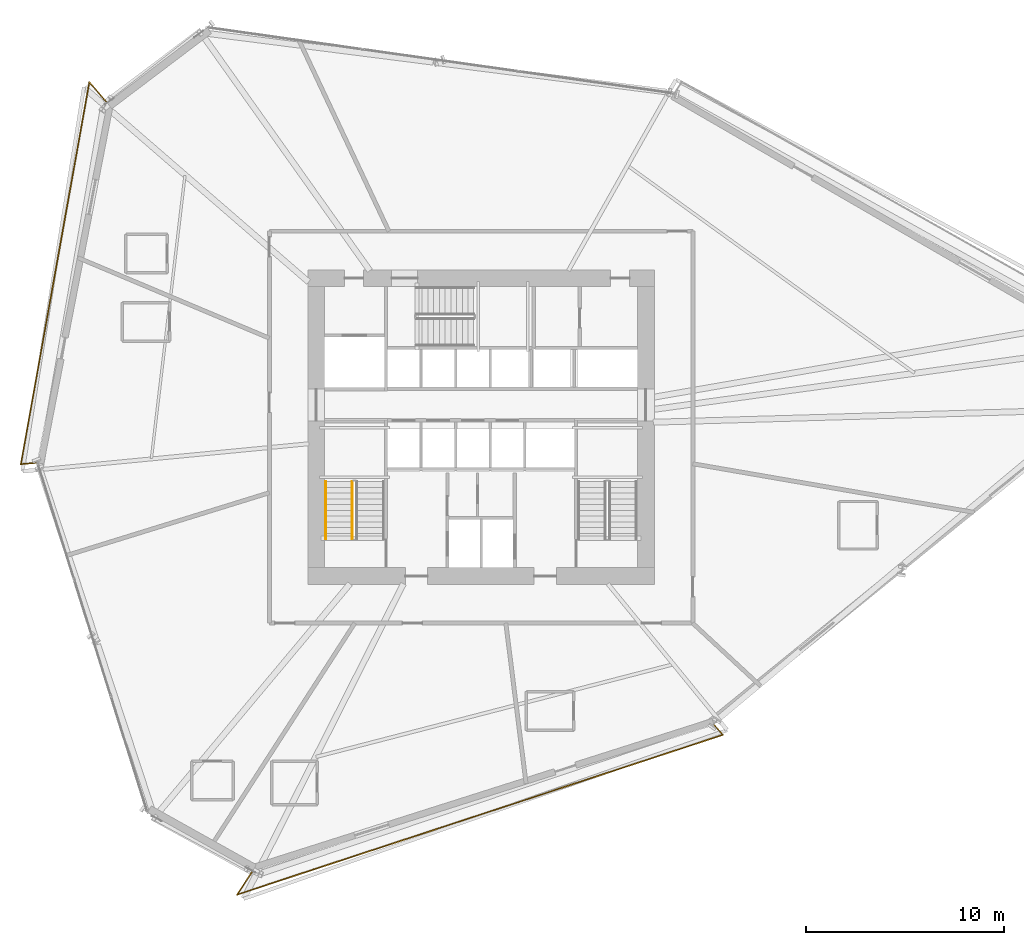
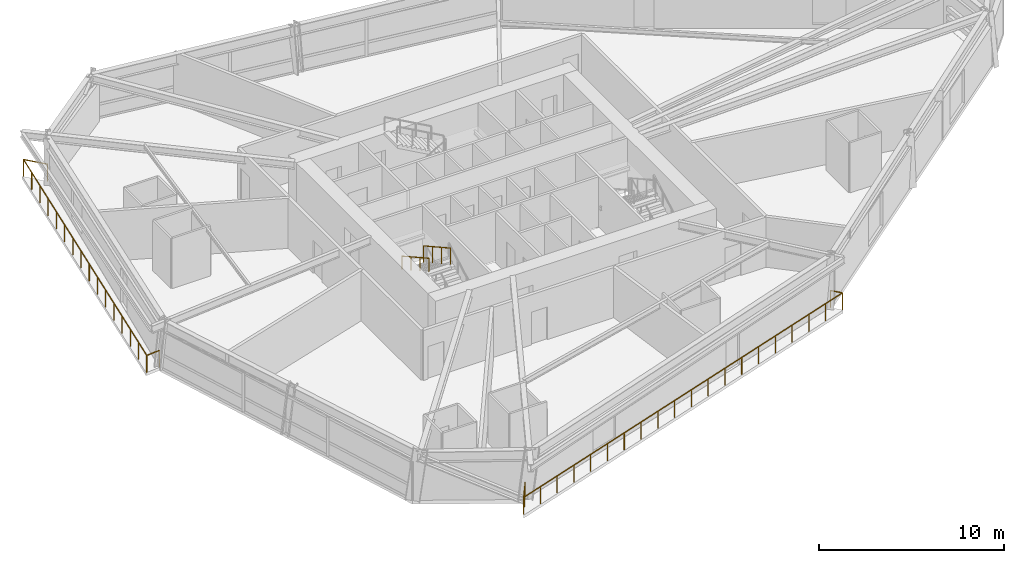
# One storey, part 19 of 21: 4 railings.
"""IFC4 building model written with IfcOpenShell, lengths in metres."""

from ifc_helpers import new_model, si_unit, direction, frame, origin, origin_2d, place, context, subcontext, project, spatial, rectangle, extrude, material, type_object, element, save


model = new_model("IFC4")

# Units and contexts
model_context = context("Model", 3, precision=1e-05, world=origin(), true_north=direction((0.0, 1.0)))
body_context = subcontext(model_context, "Body", "Model", "MODEL_VIEW")
ifc_project = project(units=[si_unit("LENGTHUNIT", "METRE"), si_unit("AREAUNIT", "SQUARE_METRE"), si_unit("VOLUMEUNIT", "CUBIC_METRE"), si_unit("PLANEANGLEUNIT", "RADIAN"), si_unit("MASSUNIT", "GRAM", prefix="KILO")], contexts=[model_context])

# Site, building, storey
site_placement = place(None, origin())
site = spatial("IfcSite", under=ifc_project, at=site_placement, CompositionType="ELEMENT")
building_placement = place(site_placement, origin())
building = spatial("IfcBuilding", under=site, at=building_placement, Name="Olszyna Solenne Hotel", CompositionType="ELEMENT")
storey_placement = place(building_placement, frame((0.0, 0.0, 54.14990234375)))
storey = spatial("IfcBuildingStorey", under=building, at=storey_placement, Name="L13", CompositionType="ELEMENT", Elevation=54.14990234375)

# Railings
ifc_material_1 = material(Name="Anodised bronze aluminium", Category="aluminium")
railing_type_1 = type_object("IfcRailingType", Name="GR-110", PredefinedType="BALUSTRADE", material=ifc_material_1)
railing_1_placement = place(storey_placement, frame((19.11376953125, 42.98828125, 0.0)))
element("IfcRailing", 1, at=railing_1_placement, inside=storey, type_object=railing_type_1, Name="Loggia balcony balustrade guard GR-L13-LG2", PredefinedType="BALUSTRADE", context=body_context, shape_type="SweptSolid", body=[
    extrude(rectangle(XDim=0.048095703125, YDim=0.048095703125, at=origin_2d()), frame((0.0, 0.0, 1.1259765625), z_axis=(-0.656936595819, 0.753945826352, 0.0), x_axis=(-0.753945826352, -0.656936595819, 0.0)), (0.0, 0.0, 1.0), 1.379150390625),
    extrude(rectangle(XDim=0.048095703125, YDim=0.048095703125, at=origin_2d()), frame((-0.906005859375, 1.039794921875, 1.1259765625), z_axis=(-0.176400491446, -0.984318478247, 0.0), x_axis=(0.984318478247, -0.176400491446, 0.0)), (0.0, 0.0, 1.0), 19.6044921875),
    extrude(rectangle(XDim=0.048095703125, YDim=0.048095703125, at=origin_2d()), frame((-4.3642578125, -18.25732421875, 1.1259765625), z_axis=(0.996294542493, 0.086006886924, 0.0), x_axis=(-0.086006886924, 0.996294542493, 0.0)), (0.0, 0.0, 1.0), 0.845947265625),
    extrude(rectangle(XDim=0.0419921875, YDim=0.0419921875, at=origin_2d()), origin(), (0.0, 0.0, 1.0), 1.101806640625),
    extrude(rectangle(XDim=0.0419921875, YDim=0.0419921875, at=origin_2d()), frame((-0.906005859375, 1.039794921875, 0.0)), (0.0, 0.0, 1.0), 1.101806640625),
    extrude(rectangle(XDim=0.0419921875, YDim=0.0419921875, at=origin_2d()), frame((-1.136474609375, -0.24658203125, 0.0)), (0.0, 0.0, 1.0), 1.101806640625),
    extrude(rectangle(XDim=0.0419921875, YDim=0.0419921875, at=origin_2d()), frame((-1.3671875, -1.533203125, 0.0)), (0.0, 0.0, 1.0), 1.101806640625),
    extrude(rectangle(XDim=0.0419921875, YDim=0.0419921875, at=origin_2d()), frame((-1.59765625, -2.819580078125, 0.0)), (0.0, 0.0, 1.0), 1.101806640625),
    extrude(rectangle(XDim=0.0419921875, YDim=0.0419921875, at=origin_2d()), frame((-1.828125, -4.106201171875, 0.0)), (0.0, 0.0, 1.0), 1.101806640625),
    extrude(rectangle(XDim=0.0419921875, YDim=0.0419921875, at=origin_2d()), frame((-2.058837890625, -5.392578125, 0.0)), (0.0, 0.0, 1.0), 1.101806640625),
    extrude(rectangle(XDim=0.0419921875, YDim=0.0419921875, at=origin_2d()), frame((-2.289306640625, -6.678955078125, 0.0)), (0.0, 0.0, 1.0), 1.101806640625),
    extrude(rectangle(XDim=0.0419921875, YDim=0.0419921875, at=origin_2d()), frame((-2.519775390625, -7.965576171875, 0.0)), (0.0, 0.0, 1.0), 1.101806640625),
    extrude(rectangle(XDim=0.0419921875, YDim=0.0419921875, at=origin_2d()), frame((-2.75048828125, -9.251953125, 0.0)), (0.0, 0.0, 1.0), 1.101806640625),
    extrude(rectangle(XDim=0.0419921875, YDim=0.0419921875, at=origin_2d()), frame((-2.98095703125, -10.53857421875, 0.0)), (0.0, 0.0, 1.0), 1.101806640625),
    extrude(rectangle(XDim=0.0419921875, YDim=0.0419921875, at=origin_2d()), frame((-3.21142578125, -11.824951171875, 0.0)), (0.0, 0.0, 1.0), 1.101806640625),
    extrude(rectangle(XDim=0.0419921875, YDim=0.0419921875, at=origin_2d()), frame((-3.442138671875, -13.111328125, 0.0)), (0.0, 0.0, 1.0), 1.101806640625),
    extrude(rectangle(XDim=0.0419921875, YDim=0.0419921875, at=origin_2d()), frame((-3.672607421875, -14.39794921875, 0.0)), (0.0, 0.0, 1.0), 1.101806640625),
    extrude(rectangle(XDim=0.0419921875, YDim=0.0419921875, at=origin_2d()), frame((-3.903076171875, -15.684326171875, 0.0)), (0.0, 0.0, 1.0), 1.101806640625),
    extrude(rectangle(XDim=0.0419921875, YDim=0.0419921875, at=origin_2d()), frame((-4.1337890625, -16.970947265625, 0.0)), (0.0, 0.0, 1.0), 1.101806640625),
    extrude(rectangle(XDim=0.0419921875, YDim=0.0419921875, at=origin_2d()), frame((-4.3642578125, -18.25732421875, 0.0)), (0.0, 0.0, 1.0), 1.101806640625),
    extrude(rectangle(XDim=0.0419921875, YDim=0.0419921875, at=origin_2d()), frame((-3.521484375, -18.1845703125, 0.0)), (0.0, 0.0, 1.0), 1.101806640625),
])
railing_2_placement = place(storey_placement, frame((26.458740234375, 4.168212890625, 0.0)))
element("IfcRailing", 2, at=railing_2_placement, inside=storey, type_object=railing_type_1, Name="Loggia balcony balustrade guard GR-L13-LG3", PredefinedType="BALUSTRADE", context=body_context, shape_type="SweptSolid", body=[
    extrude(rectangle(XDim=0.048095703125, YDim=0.048095703125, at=origin_2d()), frame((0.0, 0.0, 1.1259765625), z_axis=(-0.549686038114, -0.835371330309, 0.0), x_axis=(0.835371330309, -0.549686038114, 0.0)), (0.0, 0.0, 1.0), 1.418701171875),
    extrude(rectangle(XDim=0.048095703125, YDim=0.048095703125, at=origin_2d()), frame((-0.77978515625, -1.18505859375, 1.1259765625), z_axis=(0.949913238372, 0.312513743003, 0.0), x_axis=(-0.312513743003, 0.949913238372, 0.0)), (0.0, 0.0, 1.0), 25.830810546875),
    extrude(rectangle(XDim=0.048095703125, YDim=0.048095703125, at=origin_2d()), frame((23.75732421875, 6.887451171875, 1.1259765625), z_axis=(-0.657124884256, 0.753781723373, 0.0), x_axis=(-0.753781723373, -0.657124884256, 0.0)), (0.0, 0.0, 1.0), 0.689453125),
    extrude(rectangle(XDim=0.0419921875, YDim=0.0419921875, at=origin_2d()), origin(), (0.0, 0.0, 1.0), 1.101806640625),
    extrude(rectangle(XDim=0.0419921875, YDim=0.0419921875, at=origin_2d()), frame((-0.389892578125, -0.592529296875, 0.0)), (0.0, 0.0, 1.0), 1.101806640625),
    extrude(rectangle(XDim=0.0419921875, YDim=0.0419921875, at=origin_2d()), frame((-0.77978515625, -1.18505859375, 0.0)), (0.0, 0.0, 1.0), 1.101806640625),
    extrude(rectangle(XDim=0.0419921875, YDim=0.0419921875, at=origin_2d()), frame((0.51171875, -0.76025390625, 0.0)), (0.0, 0.0, 1.0), 1.101806640625),
    extrude(rectangle(XDim=0.0419921875, YDim=0.0419921875, at=origin_2d()), frame((1.802978515625, -0.335205078125, 0.0)), (0.0, 0.0, 1.0), 1.101806640625),
    extrude(rectangle(XDim=0.0419921875, YDim=0.0419921875, at=origin_2d()), frame((3.094482421875, 0.089599609375, 0.0)), (0.0, 0.0, 1.0), 1.101806640625),
    extrude(rectangle(XDim=0.0419921875, YDim=0.0419921875, at=origin_2d()), frame((4.385986328125, 0.514404296875, 0.0)), (0.0, 0.0, 1.0), 1.101806640625),
    extrude(rectangle(XDim=0.0419921875, YDim=0.0419921875, at=origin_2d()), frame((5.67724609375, 0.939208984375, 0.0)), (0.0, 0.0, 1.0), 1.101806640625),
    extrude(rectangle(XDim=0.0419921875, YDim=0.0419921875, at=origin_2d()), frame((6.96875, 1.3642578125, 0.0)), (0.0, 0.0, 1.0), 1.101806640625),
    extrude(rectangle(XDim=0.0419921875, YDim=0.0419921875, at=origin_2d()), frame((8.26025390625, 1.7890625, 0.0)), (0.0, 0.0, 1.0), 1.101806640625),
    extrude(rectangle(XDim=0.0419921875, YDim=0.0419921875, at=origin_2d()), frame((9.551513671875, 2.2138671875, 0.0)), (0.0, 0.0, 1.0), 1.101806640625),
    extrude(rectangle(XDim=0.0419921875, YDim=0.0419921875, at=origin_2d()), frame((10.843017578125, 2.638671875, 0.0)), (0.0, 0.0, 1.0), 1.101806640625),
    extrude(rectangle(XDim=0.0419921875, YDim=0.0419921875, at=origin_2d()), frame((12.134521484375, 3.063720703125, 0.0)), (0.0, 0.0, 1.0), 1.101806640625),
    extrude(rectangle(XDim=0.0419921875, YDim=0.0419921875, at=origin_2d()), frame((13.426025390625, 3.488525390625, 0.0)), (0.0, 0.0, 1.0), 1.101806640625),
    extrude(rectangle(XDim=0.0419921875, YDim=0.0419921875, at=origin_2d()), frame((14.71728515625, 3.913330078125, 0.0)), (0.0, 0.0, 1.0), 1.101806640625),
    extrude(rectangle(XDim=0.0419921875, YDim=0.0419921875, at=origin_2d()), frame((16.0087890625, 4.338134765625, 0.0)), (0.0, 0.0, 1.0), 1.101806640625),
    extrude(rectangle(XDim=0.0419921875, YDim=0.0419921875, at=origin_2d()), frame((17.30029296875, 4.76318359375, 0.0)), (0.0, 0.0, 1.0), 1.101806640625),
    extrude(rectangle(XDim=0.0419921875, YDim=0.0419921875, at=origin_2d()), frame((18.591552734375, 5.18798828125, 0.0)), (0.0, 0.0, 1.0), 1.101806640625),
    extrude(rectangle(XDim=0.0419921875, YDim=0.0419921875, at=origin_2d()), frame((19.883056640625, 5.61279296875, 0.0)), (0.0, 0.0, 1.0), 1.101806640625),
    extrude(rectangle(XDim=0.0419921875, YDim=0.0419921875, at=origin_2d()), frame((21.174560546875, 6.03759765625, 0.0)), (0.0, 0.0, 1.0), 1.101806640625),
    extrude(rectangle(XDim=0.0419921875, YDim=0.0419921875, at=origin_2d()), frame((22.4658203125, 6.462646484375, 0.0)), (0.0, 0.0, 1.0), 1.101806640625),
    extrude(rectangle(XDim=0.0419921875, YDim=0.0419921875, at=origin_2d()), frame((23.75732421875, 6.887451171875, 0.0)), (0.0, 0.0, 1.0), 1.101806640625),
    extrude(rectangle(XDim=0.0419921875, YDim=0.0419921875, at=origin_2d()), frame((23.30419921875, 7.4072265625, 0.0)), (0.0, 0.0, 1.0), 1.101806640625),
])
railing_3_placement = place(storey_placement, frame((31.5, 23.85009765625, 1.9365234375)))
element("IfcRailing", 3, at=railing_3_placement, inside=storey, type_object=railing_type_1, Name="L13 ST1 stair guard 3", PredefinedType="BALUSTRADE", context=body_context, shape_type="SweptSolid", body=[
    extrude(rectangle(XDim=0.048095703125, YDim=0.048095703125, at=origin_2d()), frame((0.0, 0.0, 1.076171875), z_axis=(0.0, -0.873858693841, 0.486179990537), x_axis=(1.0, 0.0, 0.0)), (0.0, 0.0, 1.0), 3.31884765625),
    extrude(rectangle(XDim=0.0419921875, YDim=0.0419921875, at=origin_2d()), origin(), (0.0, 0.0, 1.0), 1.052001953125),
    extrude(rectangle(XDim=0.0419921875, YDim=0.0419921875, at=origin_2d()), frame((0.0, -0.966796875, 0.537841796875)), (0.0, 0.0, 1.0), 1.052001953125),
    extrude(rectangle(XDim=0.0419921875, YDim=0.0419921875, at=origin_2d()), frame((0.0, -1.933349609375, 1.07568359375)), (0.0, 0.0, 1.0), 1.052001953125),
    extrude(rectangle(XDim=0.0419921875, YDim=0.0419921875, at=origin_2d()), frame((0.0, -2.900146484375, 1.613525390625)), (0.0, 0.0, 1.0), 1.052001953125),
])
ifc_material_2 = material(Name="Steel S355J2", Category="steel")
railing_type_2 = type_object("IfcRailingType", Name="HR-090", PredefinedType="HANDRAIL", material=ifc_material_2)
railing_4_placement = place(storey_placement, frame((30.14990234375, 23.85009765625, 1.9365234375)))
element("IfcRailing", 4, at=railing_4_placement, inside=storey, type_object=railing_type_2, Name="L13 ST1 stair handrail 2", PredefinedType="HANDRAIL", context=body_context, shape_type="SweptSolid", body=[
    extrude(rectangle(XDim=0.048095703125, YDim=0.048095703125, at=origin_2d()), frame((0.0, 0.0, 0.8759765625), z_axis=(0.0, -0.873858693841, 0.486179990537), x_axis=(1.0, 0.0, 0.0)), (0.0, 0.0, 1.0), 3.31884765625),
    extrude(rectangle(XDim=0.0419921875, YDim=0.0419921875, at=origin_2d()), origin(), (0.0, 0.0, 1.0), 0.851806640625),
    extrude(rectangle(XDim=0.0419921875, YDim=0.0419921875, at=origin_2d()), frame((0.0, -0.966796875, 0.537841796875)), (0.0, 0.0, 1.0), 0.851806640625),
    extrude(rectangle(XDim=0.0419921875, YDim=0.0419921875, at=origin_2d()), frame((0.0, -1.933349609375, 1.07568359375)), (0.0, 0.0, 1.0), 0.851806640625),
    extrude(rectangle(XDim=0.0419921875, YDim=0.0419921875, at=origin_2d()), frame((0.0, -2.900146484375, 1.613525390625)), (0.0, 0.0, 1.0), 0.851806640625),
])

save(model, "model.ifc")
